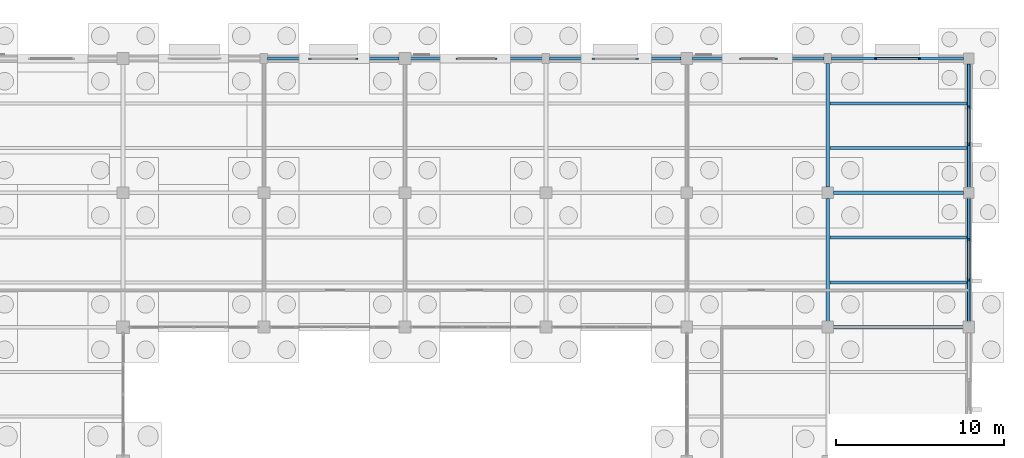
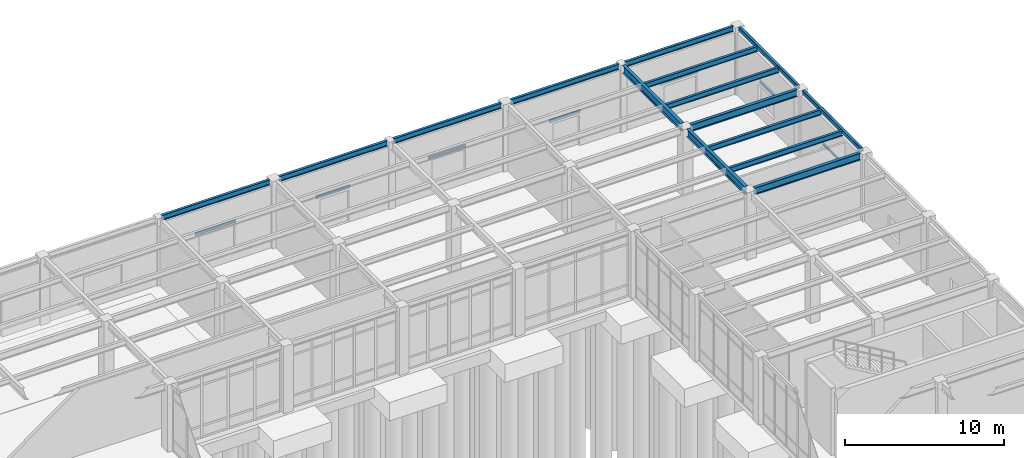
# One storey, part 63 of 138: 22 beams.
"""IFC4 building model written with IfcOpenShell, lengths in metres."""

import ifcopenshell
import ifcopenshell.guid

model = None  # the IFC model being written
_history = None  # IfcOwnerHistory: only IFC2X3 demands one
_inside = {}  # id of a spatial element -> (the spatial element, [elements in it])
_under = {}  # id of a project, library or spatial element -> (it, [spatial elements below it])
_declared = {}  # id of a project -> (the project, [libraries it declares])
_typed = {}  # id of a type object -> (the type object, [elements of that type])
_made_of = {}  # id of a material, layer set ... -> (it, [elements and type objects made of it])


def new_model(schema):
    """Start an empty IFC model of exactly this schema.

    Asked for "IFC4X3", IfcOpenShell would pick the latest addendum, in which some entities
    have other attributes; the version numbers below select the first issue.
    IFC2X3 requires an IfcOwnerHistory on every rooted entity: one is made here for all.
    """
    global model, _history
    if schema == "IFC4X3":
        model = ifcopenshell.file(schema_version=(4, 3, 0, 0))
    else:
        model = ifcopenshell.file(schema=schema)
    _inside.clear()
    _under.clear()
    _declared.clear()
    _typed.clear()
    _made_of.clear()
    _history = None
    if model.schema == "IFC2X3":
        org = make("IfcOrganization", Name="unknown")
        user = make(
            "IfcPersonAndOrganization",
            ThePerson=make("IfcPerson", FamilyName="unknown"),
            TheOrganization=org,
        )
        app = make(
            "IfcApplication",
            ApplicationDeveloper=org,
            Version="unknown",
            ApplicationFullName="unknown",
            ApplicationIdentifier="unknown",
        )
        _history = make(
            "IfcOwnerHistory",
            OwningUser=user,
            OwningApplication=app,
            ChangeAction="ADDED",
            CreationDate=0,
        )
    return model


def make(cls, **values):
    """One entity of the class cls with the attributes given. An attribute that is None is left unset."""
    return model.create_entity(
        cls, **{name: value for name, value in values.items() if value is not None}
    )


def rooted(cls, **values):
    """An entity with a GlobalId (a new one), such as an element, a storey or a relation."""
    return make(cls, GlobalId=ifcopenshell.guid.new(), OwnerHistory=_history, **values)


def si_unit(unit_type, name, prefix=None):
    """IfcSIUnit, for example si_unit("LENGTHUNIT", "METRE", prefix="MILLI")."""
    return make("IfcSIUnit", UnitType=unit_type, Prefix=prefix, Name=name)


def assignment(units):
    """IfcUnitAssignment: the units of a project."""
    return None if units is None else make("IfcUnitAssignment", Units=units)


def point(xyz):
    """IfcCartesianPoint."""
    return None if xyz is None else make("IfcCartesianPoint", Coordinates=xyz)


def direction(xyz):
    """IfcDirection."""
    return None if xyz is None else make("IfcDirection", DirectionRatios=xyz)


def frame(location, z_axis=None, x_axis=None):
    """IfcAxis2Placement3D, a coordinate frame: its origin and axes. An axis left out is left unset."""
    return make(
        "IfcAxis2Placement3D",
        Location=point(location),
        Axis=direction(z_axis),
        RefDirection=direction(x_axis),
    )


def frame_2d(location, x_axis=None):
    """IfcAxis2Placement2D, a coordinate frame in the plane: its origin and x axis."""
    return make(
        "IfcAxis2Placement2D", Location=point(location), RefDirection=direction(x_axis)
    )


def origin():
    """The frame at (0, 0, 0) with its axes left unset."""
    return frame((0.0, 0.0, 0.0))


def origin_2d():
    """The frame at (0, 0) in the plane with its x axis left unset."""
    return frame_2d((0.0, 0.0))


def place(relative_to, where):
    """IfcLocalPlacement: puts the frame where relative to a parent placement (None: the world)."""
    return make(
        "IfcLocalPlacement", PlacementRelTo=relative_to, RelativePlacement=where
    )


def context(
    kind, dimensions, precision=None, world=None, true_north=None, identifier=None
):
    """IfcGeometricRepresentationContext, for example the 3D "Model" context."""
    return make(
        "IfcGeometricRepresentationContext",
        ContextIdentifier=identifier,
        ContextType=kind,
        CoordinateSpaceDimension=dimensions,
        Precision=precision,
        WorldCoordinateSystem=world,
        TrueNorth=true_north,
    )


def subcontext(parent, identifier, kind, view, scale=None):
    """IfcGeometricRepresentationSubContext, for example "Body" below "Model"."""
    return make(
        "IfcGeometricRepresentationSubContext",
        ContextIdentifier=identifier,
        ContextType=kind,
        ParentContext=parent,
        TargetScale=scale,
        TargetView=view,
    )


def project(units=None, contexts=None):
    """IfcProject with its units and contexts."""
    return rooted(
        "IfcProject",
        Name="project",
        RepresentationContexts=contexts,
        UnitsInContext=assignment(units),
    )


def spatial(cls, under=None, at=None, **own):
    """A site, building, storey or space (cls), placed at a placement, below another one or the project."""
    s = rooted(cls, ObjectPlacement=at, **own)
    if under is not None:
        _under.setdefault(under.id(), (under, []))[1].append(s)
    return s


def profile(cls, at=None, kind="AREA", **sizes):
    """A parametric profile (cls). Its sizes go by their IFC names, for example OverallWidth=200.0."""
    return make(cls, ProfileType=kind, Position=at, **sizes)


def hollow_rectangle(**sizes):
    """IfcRectangleHollowProfileDef."""
    return profile("IfcRectangleHollowProfileDef", **sizes)


def i_section(**sizes):
    """IfcIShapeProfileDef."""
    return profile("IfcIShapeProfileDef", **sizes)


def u_section(**sizes):
    """IfcUShapeProfileDef."""
    return profile("IfcUShapeProfileDef", **sizes)


def extrude(swept, where, along, depth):
    """IfcExtrudedAreaSolid: the profile swept, set in the frame where, extruded along a direction by depth."""
    return make(
        "IfcExtrudedAreaSolid",
        SweptArea=swept,
        Position=where,
        ExtrudedDirection=direction(along),
        Depth=depth,
    )


def shape(context_of_items, identifier, shape_type, items):
    """IfcShapeRepresentation: the items that make up one representation, for example the "Body"."""
    return make(
        "IfcShapeRepresentation",
        ContextOfItems=context_of_items,
        RepresentationIdentifier=identifier,
        RepresentationType=shape_type,
        Items=items,
    )


def material(Name=None, Category=None):
    """IfcMaterial."""
    return make("IfcMaterial", Name=Name, Category=Category)


def material_profile(
    of_material, cross_section, Name=None, Category=None, Priority=None
):
    """IfcMaterialProfile: a cross section and its material."""
    return make(
        "IfcMaterialProfile",
        Name=Name,
        Material=of_material,
        Profile=cross_section,
        Priority=Priority,
        Category=Category,
    )


def profile_set(profiles, Name=None, composite=None):
    """IfcMaterialProfileSet."""
    return make(
        "IfcMaterialProfileSet",
        Name=Name,
        MaterialProfiles=profiles,
        CompositeProfile=composite,
    )


def made_of(thing, what):
    """Note that an element or type object is made of a material, layer set ...; save() writes the relation."""
    if what is not None:
        _made_of.setdefault(what.id(), (what, []))[1].append(thing)
    return thing


def type_object(cls, material=None, **own):
    """A type object (cls), such as IfcWallType, which elements share."""
    return made_of(rooted(cls, **own), material)


def element(
    cls,
    number,
    at=None,
    inside=None,
    cuts=None,
    type_object=None,
    material=None,
    context=None,
    identifier="Body",
    shape_type=None,
    held_by="IfcProductDefinitionShape",
    body=None,
    shapes=None,
    **own,
):
    """One element of the class cls, such as IfcWall. Its Tag is "e" and its number.

    at: its placement. inside: the storey or other place that contains it. cuts: it is an
    opening in that element (IfcRelVoidsElement). A single representation is given by context,
    identifier, shape_type and body (its items); several are given by shapes. held_by: the class
    of the entity that holds the representations. save() writes the other relations.
    """
    e = rooted(cls, Tag="e%d" % number, ObjectPlacement=at, **own)
    if body is not None:
        shapes = [shape(context, identifier, shape_type, body)]
    if shapes is not None:
        e.Representation = make(held_by, Representations=shapes)
    if inside is not None:
        _inside.setdefault(inside.id(), (inside, []))[1].append(e)
    if cuts is not None:
        rooted(
            "IfcRelVoidsElement", RelatingBuildingElement=cuts, RelatedOpeningElement=e
        )
    if type_object is not None:
        _typed.setdefault(type_object.id(), (type_object, []))[1].append(e)
    return made_of(e, material)


def aggregate(whole, parts):
    """IfcRelAggregates: a whole, such as a stair, and the parts it consists of."""
    return rooted("IfcRelAggregates", RelatingObject=whole, RelatedObjects=parts)


def save(model, path):
    """Write the relations noted so far, then the file.

    IfcRelAggregates (storeys below a building ...), IfcRelContainedInSpatialStructure (elements
    in a storey), IfcRelDefinesByType, IfcRelAssociatesMaterial and IfcRelDeclares: one each for
    every whole, place, type object, material and project.
    """
    for whole, parts in _under.values():
        aggregate(whole, parts)
    for where, things in _inside.values():
        rooted(
            "IfcRelContainedInSpatialStructure",
            RelatedElements=things,
            RelatingStructure=where,
        )
    for kind, things in _typed.values():
        rooted("IfcRelDefinesByType", RelatedObjects=things, RelatingType=kind)
    for what, things in _made_of.values():
        rooted("IfcRelAssociatesMaterial", RelatedObjects=things, RelatingMaterial=what)
    for by, libraries in _declared.values():
        rooted("IfcRelDeclares", RelatingContext=by, RelatedDefinitions=libraries)
    model.write(path)


model = new_model("IFC4")

# Units and contexts
model_context = context("Model", 3, precision=1e-05, world=origin(), true_north=direction((0.0, 1.0)))
body_context = subcontext(model_context, "Body", "Model", "MODEL_VIEW")
ifc_project = project(units=[si_unit("LENGTHUNIT", "METRE"), si_unit("AREAUNIT", "SQUARE_METRE"), si_unit("VOLUMEUNIT", "CUBIC_METRE"), si_unit("PLANEANGLEUNIT", "RADIAN"), si_unit("MASSUNIT", "GRAM", prefix="KILO")], contexts=[model_context])

# Site, building, storey
site_placement = place(None, origin())
site = spatial("IfcSite", under=ifc_project, at=site_placement, CompositionType="ELEMENT")
building_placement = place(site_placement, origin())
building = spatial("IfcBuilding", under=site, at=building_placement, Name="Kranzveld Transit Interchange", CompositionType="ELEMENT")
storey_placement = place(building_placement, origin())
storey = spatial("IfcBuildingStorey", under=building, at=storey_placement, Name="L00", CompositionType="ELEMENT", Elevation=0.0)

# Beams
ifc_material_1 = material(Name="Steel S355JR", Category="steel")
ifc_material_profile_1 = material_profile(ifc_material_1, hollow_rectangle(XDim=0.199951171875, YDim=0.300048828125, WallThickness=0.010009765625, InnerFilletRadius=0.014892578125, OuterFilletRadius=0.02490234375, at=origin_2d()), Name="RHS 300x200x10")
ifc_profile_set_1 = profile_set([ifc_material_profile_1], Name="Steel S355JR")
beam_type_1 = type_object("IfcBeamType", Name="Edge Spandrel RHS 300x200x10 S355JR", PredefinedType="SPANDREL", material=ifc_profile_set_1)
beam_1_placement = place(storey_placement, frame((168.0, 96.340087890625, 5.0), z_axis=(0.0, 1.0, 0.0), x_axis=(-1.0, 0.0, 0.0)))
element("IfcBeam", 1, at=beam_1_placement, inside=storey, type_object=beam_type_1, Name="L00 Girder 21/N-P", PredefinedType="SPANDREL", context=body_context, shape_type="SweptSolid", body=[
    extrude(hollow_rectangle(XDim=0.199951171875, YDim=0.300048828125, WallThickness=0.010009765625, InnerFilletRadius=0.014892578125, OuterFilletRadius=0.02490234375, at=origin_2d()), origin(), (0.0, 0.0, 1.0), 7.344970703125),
])
beam_2_placement = place(storey_placement, frame((168.0, 104.31494140625, 5.0), z_axis=(0.0, 1.0, 0.0), x_axis=(-1.0, 0.0, 0.0)))
element("IfcBeam", 2, at=beam_2_placement, inside=storey, type_object=beam_type_1, Name="L00 Girder 21/P-Q", PredefinedType="SPANDREL", context=body_context, shape_type="SweptSolid", body=[
    extrude(hollow_rectangle(XDim=0.199951171875, YDim=0.300048828125, WallThickness=0.010009765625, InnerFilletRadius=0.014892578125, OuterFilletRadius=0.02490234375, at=origin_2d()), origin(), (0.0, 0.0, 1.0), 7.3701171875),
])
ifc_material_2 = material(Name="Steel S355JR", Category="steel")
ifc_material_profile_2 = material_profile(ifc_material_2, i_section(OverallWidth=0.1787109375, OverallDepth=0.409423828125, WebThickness=0.0087890625, FlangeThickness=0.014404296875, FilletRadius=0.01025390625, at=origin_2d()), Name="UB 406x178x67")
ifc_profile_set_2 = profile_set([ifc_material_profile_2], Name="Steel S355JR")
beam_type_2 = type_object("IfcBeamType", Name="Facade Spandrel UB 406x178x67 S355JR", PredefinedType="SPANDREL", material=ifc_profile_set_2)
for number, where, z_axis, x_axis, name in (
    (3, (126.215087890625, 112.0, 4.9453125), (1.0, 0.0, 0.0), (0.0, 1.0, 0.0), "L00 Girder 16-17/Q"),
    (4, (134.739990234375, 112.0, 4.9453125), (1.0, 0.0, 0.0), (0.0, 1.0, 0.0), "L00 Girder 17-18/Q"),
):
    element("IfcBeam", number, at=place(storey_placement, frame(where, z_axis=z_axis, x_axis=x_axis)), inside=storey, type_object=beam_type_2, Name=name, PredefinedType="SPANDREL", context=body_context, shape_type="SweptSolid", body=[
        extrude(i_section(OverallWidth=0.1787109375, OverallDepth=0.409423828125, WebThickness=0.0087890625, FlangeThickness=0.014404296875, FilletRadius=0.01025390625, at=origin_2d()), origin(), (0.0, 0.0, 1.0), 7.844970703125),
    ])
beam_3_placement = place(storey_placement, frame((143.014892578125, 112.0, 4.9453125), z_axis=(1.0, 0.0, 0.0), x_axis=(0.0, 1.0, 0.0)))
element("IfcBeam", 5, at=beam_3_placement, inside=storey, type_object=beam_type_2, Name="L00 Girder 18-19/Q", PredefinedType="SPANDREL", context=body_context, shape_type="SweptSolid", body=[
    extrude(i_section(OverallWidth=0.1787109375, OverallDepth=0.409423828125, WebThickness=0.0087890625, FlangeThickness=0.014404296875, FilletRadius=0.01025390625, at=origin_2d()), origin(), (0.0, 0.0, 1.0), 7.84521484375),
])
beam_4_placement = place(storey_placement, frame((151.5400390625, 112.0, 4.9453125), z_axis=(1.0, 0.0, 0.0), x_axis=(0.0, 1.0, 0.0)))
element("IfcBeam", 6, at=beam_4_placement, inside=storey, type_object=beam_type_2, Name="L00 Girder 19-20/Q", PredefinedType="SPANDREL", context=body_context, shape_type="SweptSolid", body=[
    extrude(i_section(OverallWidth=0.1787109375, OverallDepth=0.409423828125, WebThickness=0.0087890625, FlangeThickness=0.014404296875, FilletRadius=0.01025390625, at=origin_2d()), origin(), (0.0, 0.0, 1.0), 7.844970703125),
])
beam_5_placement = place(storey_placement, frame((159.81494140625, 112.0, 4.9453125), z_axis=(1.0, 0.0, 0.0), x_axis=(0.0, 1.0, 0.0)))
element("IfcBeam", 7, at=beam_5_placement, inside=storey, type_object=beam_type_2, Name="L00 Girder 20-21/Q", PredefinedType="SPANDREL", context=body_context, shape_type="SweptSolid", body=[
    extrude(i_section(OverallWidth=0.1787109375, OverallDepth=0.409423828125, WebThickness=0.0087890625, FlangeThickness=0.014404296875, FilletRadius=0.01025390625, at=origin_2d()), origin(), (0.0, 0.0, 1.0), 7.8701171875),
])
ifc_material_3 = material(Name="Steel S355JR", Category="steel")
ifc_material_profile_3 = material_profile(ifc_material_3, i_section(OverallWidth=0.177734375, OverallDepth=0.402587890625, WebThickness=0.0078125, FlangeThickness=0.010986328125, FilletRadius=0.01025390625, at=origin_2d()), Name="UB 406x178x54")
ifc_profile_set_3 = profile_set([ifc_material_profile_3], Name="Steel S355JR")
beam_type_3 = type_object("IfcBeamType", Name="Floor Joist UB 406x178x54 S355JR", PredefinedType="JOIST", material=ifc_profile_set_3)
for number, where, z_axis, x_axis, name in (
    (8, (159.716064453125, 98.666748046875, 4.94873046875), (1.0, 0.0, 0.0), (0.0, 1.0, 0.0), "L00 Secondary Joist 20-21/N.1"),
    (9, (159.716064453125, 101.333251953125, 4.94873046875), (1.0, 0.0, 0.0), (0.0, 1.0, 0.0), "L00 Secondary Joist 20-21/N.2"),
    (10, (159.716064453125, 106.666748046875, 4.94873046875), (1.0, 0.0, 0.0), (0.0, 1.0, 0.0), "L00 Secondary Joist 20-21/P.1"),
    (11, (159.716064453125, 109.333251953125, 4.94873046875), (1.0, 0.0, 0.0), (0.0, 1.0, 0.0), "L00 Secondary Joist 20-21/P.2"),
):
    element("IfcBeam", number, at=place(storey_placement, frame(where, z_axis=z_axis, x_axis=x_axis)), inside=storey, type_object=beam_type_3, Name=name, PredefinedType="JOIST", context=body_context, shape_type="SweptSolid", body=[
        extrude(i_section(OverallWidth=0.177734375, OverallDepth=0.402587890625, WebThickness=0.0078125, FlangeThickness=0.010986328125, FilletRadius=0.01025390625, at=origin_2d()), origin(), (0.0, 0.0, 1.0), 8.181884765625),
    ])
ifc_material_4 = material(Name="Steel S355JR", Category="steel")
ifc_material_profile_4 = material_profile(ifc_material_4, i_section(OverallWidth=0.2119140625, OverallDepth=0.54443359375, WebThickness=0.0126953125, FlangeThickness=0.021240234375, FilletRadius=0.0126953125, at=origin_2d()), Name="UB 533x210x122")
ifc_profile_set_4 = profile_set([ifc_material_profile_4], Name="Steel S355JR")
beam_type_4 = type_object("IfcBeamType", Name="Girder Steel UB 533x210x122 S355JR", PredefinedType="BEAM", material=ifc_profile_set_4)
beam_6_placement = place(storey_placement, frame((159.93994140625, 96.0, 4.877685546875), z_axis=(1.0, 0.0, 0.0), x_axis=(0.0, 1.0, 0.0)))
element("IfcBeam", 12, at=beam_6_placement, inside=storey, type_object=beam_type_4, Name="L00 Girder 20-21/N", PredefinedType="BEAM", context=body_context, shape_type="SweptSolid", body=[
    extrude(i_section(OverallWidth=0.2119140625, OverallDepth=0.54443359375, WebThickness=0.0126953125, FlangeThickness=0.021240234375, FilletRadius=0.0126953125, at=origin_2d()), origin(), (0.0, 0.0, 1.0), 7.719970703125),
])
beam_7_placement = place(storey_placement, frame((159.93994140625, 104.0, 4.877685546875), z_axis=(1.0, 0.0, 0.0), x_axis=(0.0, 1.0, 0.0)))
element("IfcBeam", 13, at=beam_7_placement, inside=storey, type_object=beam_type_4, Name="L00 Girder 20-21/P", PredefinedType="BEAM", context=body_context, shape_type="SweptSolid", body=[
    extrude(i_section(OverallWidth=0.2119140625, OverallDepth=0.54443359375, WebThickness=0.0126953125, FlangeThickness=0.021240234375, FilletRadius=0.0126953125, at=origin_2d()), origin(), (0.0, 0.0, 1.0), 7.7451171875),
])
ifc_material_5 = material(Name="Steel S355JR", Category="steel")
ifc_material_profile_5 = material_profile(ifc_material_5, i_section(OverallWidth=0.228271484375, OverallDepth=0.607666015625, WebThickness=0.010986328125, FlangeThickness=0.017333984375, FilletRadius=0.0126953125, at=origin_2d()), Name="UB 610x229x113")
ifc_profile_set_5 = profile_set([ifc_material_profile_5], Name="Steel S355JR")
beam_type_5 = type_object("IfcBeamType", Name="Girder Steel UB 610x229x113 S355JR", PredefinedType="BEAM", material=ifc_profile_set_5)
beam_8_placement = place(storey_placement, frame((159.60009765625, 96.340087890625, 4.84619140625), z_axis=(0.0, 1.0, 0.0), x_axis=(-1.0, 0.0, 0.0)))
element("IfcBeam", 14, at=beam_8_placement, inside=storey, type_object=beam_type_5, Name="L00 Girder 20/N-P", PredefinedType="BEAM", context=body_context, shape_type="SweptSolid", body=[
    extrude(i_section(OverallWidth=0.228271484375, OverallDepth=0.607666015625, WebThickness=0.010986328125, FlangeThickness=0.017333984375, FilletRadius=0.0126953125, at=origin_2d()), origin(), (0.0, 0.0, 1.0), 7.31982421875),
])
beam_9_placement = place(storey_placement, frame((159.60009765625, 104.340087890625, 4.84619140625), z_axis=(0.0, 1.0, 0.0), x_axis=(-1.0, 0.0, 0.0)))
element("IfcBeam", 15, at=beam_9_placement, inside=storey, type_object=beam_type_5, Name="L00 Girder 20/P-Q", PredefinedType="BEAM", context=body_context, shape_type="SweptSolid", body=[
    extrude(i_section(OverallWidth=0.228271484375, OverallDepth=0.607666015625, WebThickness=0.010986328125, FlangeThickness=0.017333984375, FilletRadius=0.0126953125, at=origin_2d()), origin(), (0.0, 0.0, 1.0), 7.369873046875),
])
ifc_material_6 = material(Name="Steel S355JR", Category="steel")
ifc_material_profile_6 = material_profile(ifc_material_6, u_section(Depth=0.179931640625, FlangeWidth=0.070068359375, WebThickness=0.007080078125, FlangeThickness=0.010986328125, FilletRadius=0.010009765625, at=origin_2d()), Name="PFC 180x70x22")
ifc_profile_set_6 = profile_set([ifc_material_profile_6], Name="Steel S355JR")
beam_type_6 = type_object("IfcBeamType", Name="Masonry Lintel PFC 180x70x22 S355JR", PredefinedType="LINTEL", material=ifc_profile_set_6)
beam_10_placement = place(storey_placement, frame((168.0, 98.732421875, 2.4951171875), z_axis=(0.0, 1.0, 0.0), x_axis=(-1.0, 0.0, 0.0)))
element("IfcBeam", 16, at=beam_10_placement, inside=storey, type_object=beam_type_6, Name="L00 Window Lintel 029", PredefinedType="LINTEL", context=body_context, shape_type="SweptSolid", body=[
    extrude(u_section(Depth=0.179931640625, FlangeWidth=0.070068359375, WebThickness=0.007080078125, FlangeThickness=0.010986328125, FilletRadius=0.010009765625, at=origin_2d()), origin(), (0.0, 0.0, 1.0), 2.56005859375),
])
ifc_material_7 = material(Name="Steel S355JR", Category="steel")
ifc_material_profile_7 = material_profile(ifc_material_7, u_section(Depth=0.199951171875, FlangeWidth=0.074951171875, WebThickness=0.006103515625, FlangeThickness=0.012451171875, FilletRadius=0.011962890625, at=origin_2d()), Name="PFC 200x75x23")
ifc_profile_set_7 = profile_set([ifc_material_profile_7], Name="Steel S355JR")
beam_type_7 = type_object("IfcBeamType", Name="Masonry Lintel PFC 200x75x23 S355JR", PredefinedType="LINTEL", material=ifc_profile_set_7)
beam_11_placement = place(storey_placement, frame((162.3701171875, 112.0, 2.5048828125), z_axis=(1.0, 0.0, 0.0), x_axis=(0.0, 1.0, 0.0)))
element("IfcBeam", 17, at=beam_11_placement, inside=storey, type_object=beam_type_7, Name="L00 Window Lintel 028", PredefinedType="LINTEL", context=body_context, shape_type="SweptSolid", body=[
    extrude(u_section(Depth=0.199951171875, FlangeWidth=0.074951171875, WebThickness=0.006103515625, FlangeThickness=0.012451171875, FilletRadius=0.011962890625, at=origin_2d()), origin(), (0.0, 0.0, 1.0), 2.759765625),
])
ifc_material_8 = material(Name="Steel S355JR", Category="steel")
ifc_material_profile_8 = material_profile(ifc_material_8, u_section(Depth=0.22998046875, FlangeWidth=0.090087890625, WebThickness=0.007568359375, FlangeThickness=0.013916015625, FilletRadius=0.011962890625, at=origin_2d()), Name="PFC 230x90x32")
ifc_profile_set_8 = profile_set([ifc_material_profile_8], Name="Steel S355JR")
beam_type_8 = type_object("IfcBeamType", Name="Masonry Lintel PFC 230x90x32 S355JR", PredefinedType="LINTEL", material=ifc_profile_set_8)
beam_12_placement = place(storey_placement, frame((137.4326171875, 112.0, 2.570068359375), z_axis=(1.0, 0.0, 0.0), x_axis=(0.0, 1.0, 0.0)))
element("IfcBeam", 18, at=beam_12_placement, inside=storey, type_object=beam_type_8, Name="L00 Entrance Door Lintel 008", PredefinedType="LINTEL", context=body_context, shape_type="SweptSolid", body=[
    extrude(u_section(Depth=0.22998046875, FlangeWidth=0.090087890625, WebThickness=0.007568359375, FlangeThickness=0.013916015625, FilletRadius=0.011962890625, at=origin_2d()), origin(), (0.0, 0.0, 1.0), 2.4599609375),
])
beam_13_placement = place(storey_placement, frame((154.33251953125, 112.0, 2.469970703125), z_axis=(1.0, 0.0, 0.0), x_axis=(0.0, 1.0, 0.0)))
element("IfcBeam", 19, at=beam_13_placement, inside=storey, type_object=beam_type_8, Name="L00 Entrance Door Lintel 009", PredefinedType="LINTEL", context=body_context, shape_type="SweptSolid", body=[
    extrude(u_section(Depth=0.22998046875, FlangeWidth=0.090087890625, WebThickness=0.007568359375, FlangeThickness=0.013916015625, FilletRadius=0.011962890625, at=origin_2d()), origin(), (0.0, 0.0, 1.0), 2.260009765625),
])
ifc_material_9 = material(Name="Steel S355JR", Category="steel")
ifc_material_profile_9 = material_profile(ifc_material_9, i_section(OverallWidth=0.091064453125, OverallDepth=0.179931640625, WebThickness=0.00537109375, FlangeThickness=0.008056640625, FilletRadius=0.009033203125, at=origin_2d()), Name="IPE 180")
ifc_profile_set_9 = profile_set([ifc_material_profile_9], Name="Steel S355JR")
beam_type_9 = type_object("IfcBeamType", Name="Opening Lintel IPE 180 S355JR", PredefinedType="LINTEL", material=ifc_profile_set_9)
beam_14_placement = place(storey_placement, frame((145.5576171875, 112.0, 2.7451171875), z_axis=(1.0, 0.0, 0.0), x_axis=(0.0, 1.0, 0.0)))
element("IfcBeam", 20, at=beam_14_placement, inside=storey, type_object=beam_type_9, Name="L00 Window Lintel 027", PredefinedType="LINTEL", context=body_context, shape_type="SweptSolid", body=[
    extrude(i_section(OverallWidth=0.091064453125, OverallDepth=0.179931640625, WebThickness=0.00537109375, FlangeThickness=0.008056640625, FilletRadius=0.009033203125, at=origin_2d()), origin(), (0.0, 0.0, 1.0), 2.759765625),
])
ifc_material_10 = material(Name="Steel S355JR", Category="steel")
ifc_material_profile_10 = material_profile(ifc_material_10, i_section(OverallWidth=0.10009765625, OverallDepth=0.199951171875, WebThickness=0.005615234375, FlangeThickness=0.008544921875, FilletRadius=0.011962890625, at=origin_2d()), Name="IPE 200")
ifc_profile_set_10 = profile_set([ifc_material_profile_10], Name="Steel S355JR")
beam_type_10 = type_object("IfcBeamType", Name="Opening Lintel IPE 200 S355JR", PredefinedType="LINTEL", material=ifc_profile_set_10)
beam_15_placement = place(storey_placement, frame((128.657470703125, 112.0, 2.804931640625), z_axis=(1.0, 0.0, 0.0), x_axis=(0.0, 1.0, 0.0)))
element("IfcBeam", 21, at=beam_15_placement, inside=storey, type_object=beam_type_10, Name="L00 Window Lintel 026", PredefinedType="LINTEL", context=body_context, shape_type="SweptSolid", body=[
    extrude(i_section(OverallWidth=0.10009765625, OverallDepth=0.199951171875, WebThickness=0.005615234375, FlangeThickness=0.008544921875, FilletRadius=0.011962890625, at=origin_2d()), origin(), (0.0, 0.0, 1.0), 2.9599609375),
])
beam_16_placement = place(storey_placement, frame((168.0, 106.820068359375, 2.5048828125), z_axis=(0.0, 1.0, 0.0), x_axis=(-1.0, 0.0, 0.0)))
element("IfcBeam", 22, at=beam_16_placement, inside=storey, type_object=beam_type_10, Name="L00 Window Lintel 030", PredefinedType="LINTEL", context=body_context, shape_type="SweptSolid", body=[
    extrude(i_section(OverallWidth=0.10009765625, OverallDepth=0.199951171875, WebThickness=0.005615234375, FlangeThickness=0.008544921875, FilletRadius=0.011962890625, at=origin_2d()), origin(), (0.0, 0.0, 1.0), 2.35986328125),
])

save(model, "model.ifc")
